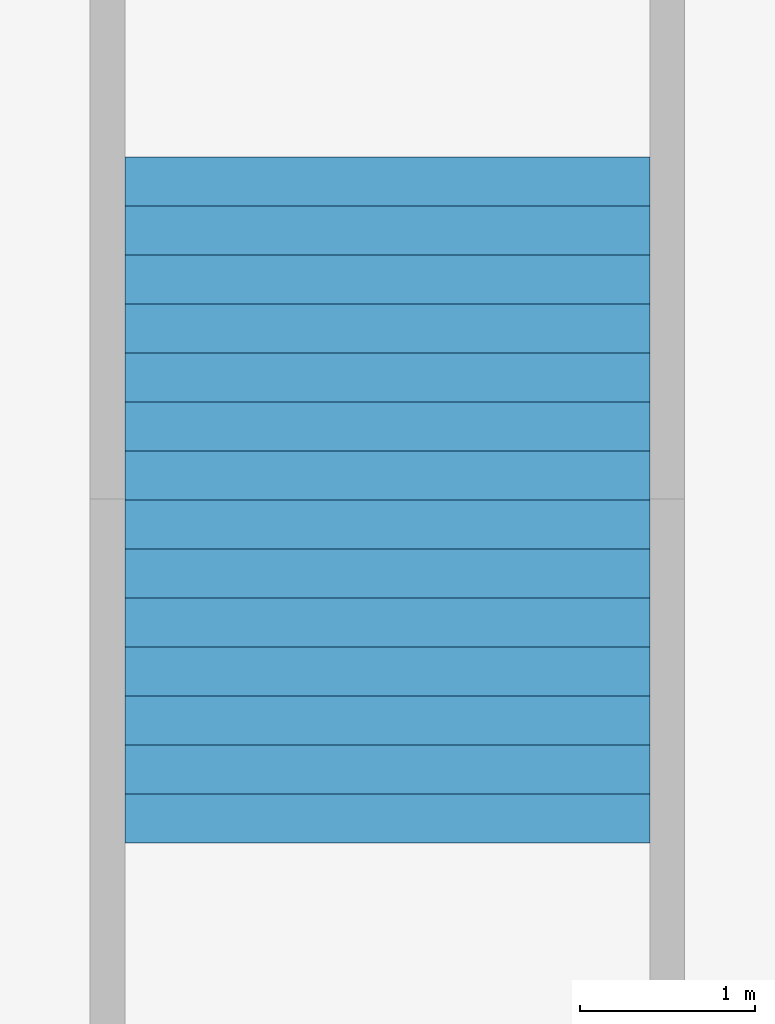
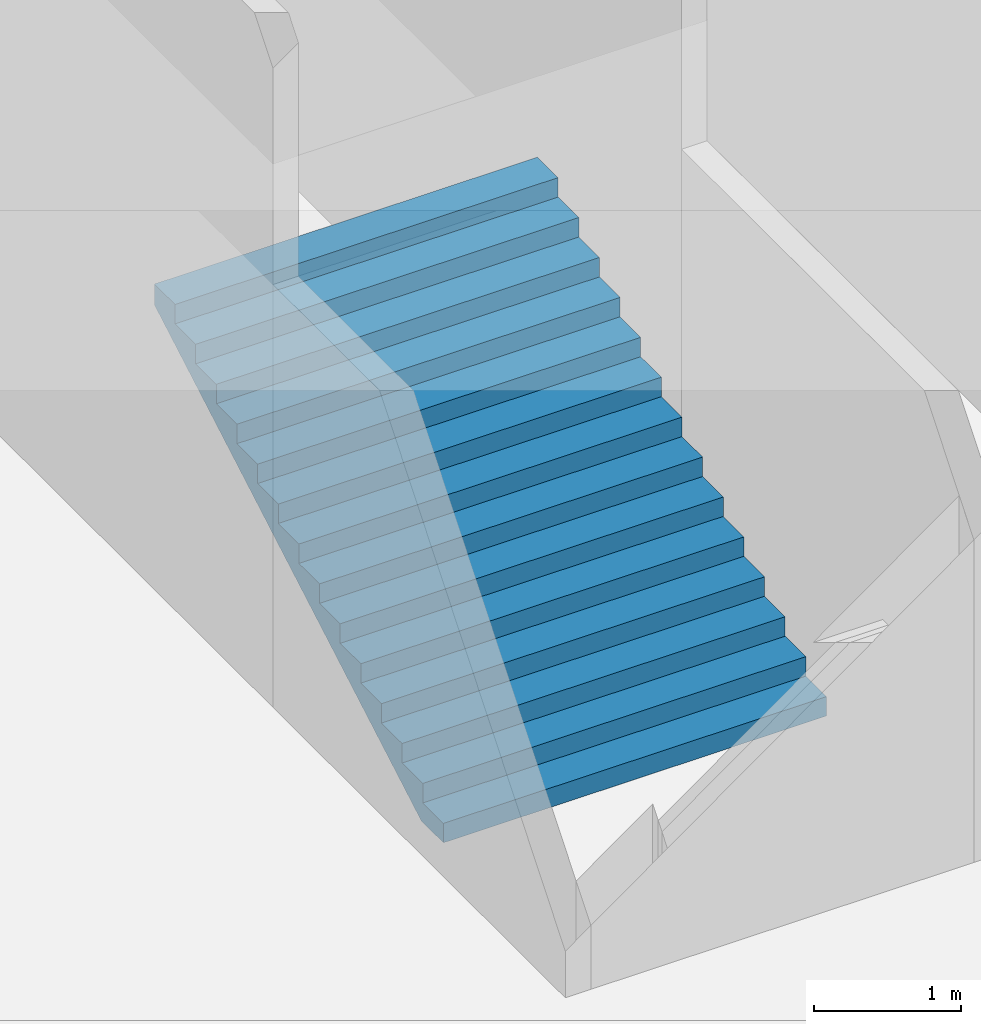
# One storey, part 88 of 115: 1 stair flight, 1 element without a shape of its own.
"""IFC4 building model written with IfcOpenShell, lengths in metres."""

import ifcopenshell
import ifcopenshell.guid

model = None  # the IFC model being written
_history = None  # IfcOwnerHistory: only IFC2X3 demands one
_inside = {}  # id of a spatial element -> (the spatial element, [elements in it])
_under = {}  # id of a project, library or spatial element -> (it, [spatial elements below it])
_declared = {}  # id of a project -> (the project, [libraries it declares])
_typed = {}  # id of a type object -> (the type object, [elements of that type])
_made_of = {}  # id of a material, layer set ... -> (it, [elements and type objects made of it])


def new_model(schema):
    """Start an empty IFC model of exactly this schema.

    Asked for "IFC4X3", IfcOpenShell would pick the latest addendum, in which some entities
    have other attributes; the version numbers below select the first issue.
    IFC2X3 requires an IfcOwnerHistory on every rooted entity: one is made here for all.
    """
    global model, _history
    if schema == "IFC4X3":
        model = ifcopenshell.file(schema_version=(4, 3, 0, 0))
    else:
        model = ifcopenshell.file(schema=schema)
    _inside.clear()
    _under.clear()
    _declared.clear()
    _typed.clear()
    _made_of.clear()
    _history = None
    if model.schema == "IFC2X3":
        org = make("IfcOrganization", Name="unknown")
        user = make(
            "IfcPersonAndOrganization",
            ThePerson=make("IfcPerson", FamilyName="unknown"),
            TheOrganization=org,
        )
        app = make(
            "IfcApplication",
            ApplicationDeveloper=org,
            Version="unknown",
            ApplicationFullName="unknown",
            ApplicationIdentifier="unknown",
        )
        _history = make(
            "IfcOwnerHistory",
            OwningUser=user,
            OwningApplication=app,
            ChangeAction="ADDED",
            CreationDate=0,
        )
    return model


def make(cls, **values):
    """One entity of the class cls with the attributes given. An attribute that is None is left unset."""
    return model.create_entity(
        cls, **{name: value for name, value in values.items() if value is not None}
    )


def rooted(cls, **values):
    """An entity with a GlobalId (a new one), such as an element, a storey or a relation."""
    return make(cls, GlobalId=ifcopenshell.guid.new(), OwnerHistory=_history, **values)


def si_unit(unit_type, name, prefix=None):
    """IfcSIUnit, for example si_unit("LENGTHUNIT", "METRE", prefix="MILLI")."""
    return make("IfcSIUnit", UnitType=unit_type, Prefix=prefix, Name=name)


def assignment(units):
    """IfcUnitAssignment: the units of a project."""
    return None if units is None else make("IfcUnitAssignment", Units=units)


def point(xyz):
    """IfcCartesianPoint."""
    return None if xyz is None else make("IfcCartesianPoint", Coordinates=xyz)


def direction(xyz):
    """IfcDirection."""
    return None if xyz is None else make("IfcDirection", DirectionRatios=xyz)


def frame(location, z_axis=None, x_axis=None):
    """IfcAxis2Placement3D, a coordinate frame: its origin and axes. An axis left out is left unset."""
    return make(
        "IfcAxis2Placement3D",
        Location=point(location),
        Axis=direction(z_axis),
        RefDirection=direction(x_axis),
    )


def origin():
    """The frame at (0, 0, 0) with its axes left unset."""
    return frame((0.0, 0.0, 0.0))


def place(relative_to, where):
    """IfcLocalPlacement: puts the frame where relative to a parent placement (None: the world)."""
    return make(
        "IfcLocalPlacement", PlacementRelTo=relative_to, RelativePlacement=where
    )


def context(
    kind, dimensions, precision=None, world=None, true_north=None, identifier=None
):
    """IfcGeometricRepresentationContext, for example the 3D "Model" context."""
    return make(
        "IfcGeometricRepresentationContext",
        ContextIdentifier=identifier,
        ContextType=kind,
        CoordinateSpaceDimension=dimensions,
        Precision=precision,
        WorldCoordinateSystem=world,
        TrueNorth=true_north,
    )


def subcontext(parent, identifier, kind, view, scale=None):
    """IfcGeometricRepresentationSubContext, for example "Body" below "Model"."""
    return make(
        "IfcGeometricRepresentationSubContext",
        ContextIdentifier=identifier,
        ContextType=kind,
        ParentContext=parent,
        TargetScale=scale,
        TargetView=view,
    )


def project(units=None, contexts=None):
    """IfcProject with its units and contexts."""
    return rooted(
        "IfcProject",
        Name="project",
        RepresentationContexts=contexts,
        UnitsInContext=assignment(units),
    )


def spatial(cls, under=None, at=None, **own):
    """A site, building, storey or space (cls), placed at a placement, below another one or the project."""
    s = rooted(cls, ObjectPlacement=at, **own)
    if under is not None:
        _under.setdefault(under.id(), (under, []))[1].append(s)
    return s


def faces_of(points, faces, orient=None, outer=None):
    """IfcFace entities. A face is a list of loops; a loop is a list of indices into points, from 0.

    orient and outer hold one flag for each loop. By default every Orientation is true, the
    first loop of a face is its IfcFaceOuterBound and the others are IfcFaceBound.
    """
    made = []
    for i, loops in enumerate(faces):
        bounds = []
        for j, loop in enumerate(loops):
            is_outer = j == 0 if outer is None else outer[i][j]
            bounds.append(
                make(
                    "IfcFaceOuterBound" if is_outer else "IfcFaceBound",
                    Bound=make("IfcPolyLoop", Polygon=[points[k] for k in loop]),
                    Orientation=True if orient is None else orient[i][j],
                )
            )
        made.append(make("IfcFace", Bounds=bounds))
    return made


def faceted_brep(points, faces, orient=None, outer=None, voids=None):
    """IfcFacetedBrep: a solid bounded by flat faces; with voids (closed shells), ...WithVoids."""
    shared = [point(p) for p in points]
    hull = make("IfcClosedShell", CfsFaces=faces_of(shared, faces, orient, outer))
    if voids is None:
        return make("IfcFacetedBrep", Outer=hull)
    return make(
        "IfcFacetedBrepWithVoids",
        Outer=hull,
        Voids=[
            make(cls, CfsFaces=faces_of(shared, fs, o, b)) for cls, fs, o, b in voids
        ],
    )


def shape(context_of_items, identifier, shape_type, items):
    """IfcShapeRepresentation: the items that make up one representation, for example the "Body"."""
    return make(
        "IfcShapeRepresentation",
        ContextOfItems=context_of_items,
        RepresentationIdentifier=identifier,
        RepresentationType=shape_type,
        Items=items,
    )


def material(Name=None, Category=None):
    """IfcMaterial."""
    return make("IfcMaterial", Name=Name, Category=Category)


def made_of(thing, what):
    """Note that an element or type object is made of a material, layer set ...; save() writes the relation."""
    if what is not None:
        _made_of.setdefault(what.id(), (what, []))[1].append(thing)
    return thing


def type_object(cls, material=None, **own):
    """A type object (cls), such as IfcWallType, which elements share."""
    return made_of(rooted(cls, **own), material)


def element(
    cls,
    number,
    at=None,
    inside=None,
    cuts=None,
    type_object=None,
    material=None,
    context=None,
    identifier="Body",
    shape_type=None,
    held_by="IfcProductDefinitionShape",
    body=None,
    shapes=None,
    **own,
):
    """One element of the class cls, such as IfcWall. Its Tag is "e" and its number.

    at: its placement. inside: the storey or other place that contains it. cuts: it is an
    opening in that element (IfcRelVoidsElement). A single representation is given by context,
    identifier, shape_type and body (its items); several are given by shapes. held_by: the class
    of the entity that holds the representations. save() writes the other relations.
    """
    e = rooted(cls, Tag="e%d" % number, ObjectPlacement=at, **own)
    if body is not None:
        shapes = [shape(context, identifier, shape_type, body)]
    if shapes is not None:
        e.Representation = make(held_by, Representations=shapes)
    if inside is not None:
        _inside.setdefault(inside.id(), (inside, []))[1].append(e)
    if cuts is not None:
        rooted(
            "IfcRelVoidsElement", RelatingBuildingElement=cuts, RelatedOpeningElement=e
        )
    if type_object is not None:
        _typed.setdefault(type_object.id(), (type_object, []))[1].append(e)
    return made_of(e, material)


def aggregate(whole, parts):
    """IfcRelAggregates: a whole, such as a stair, and the parts it consists of."""
    return rooted("IfcRelAggregates", RelatingObject=whole, RelatedObjects=parts)


def save(model, path):
    """Write the relations noted so far, then the file.

    IfcRelAggregates (storeys below a building ...), IfcRelContainedInSpatialStructure (elements
    in a storey), IfcRelDefinesByType, IfcRelAssociatesMaterial and IfcRelDeclares: one each for
    every whole, place, type object, material and project.
    """
    for whole, parts in _under.values():
        aggregate(whole, parts)
    for where, things in _inside.values():
        rooted(
            "IfcRelContainedInSpatialStructure",
            RelatedElements=things,
            RelatingStructure=where,
        )
    for kind, things in _typed.values():
        rooted("IfcRelDefinesByType", RelatedObjects=things, RelatingType=kind)
    for what, things in _made_of.values():
        rooted("IfcRelAssociatesMaterial", RelatedObjects=things, RelatingMaterial=what)
    for by, libraries in _declared.values():
        rooted("IfcRelDeclares", RelatingContext=by, RelatedDefinitions=libraries)
    model.write(path)


model = new_model("IFC4")

# Units and contexts
model_context = context("Model", 3, precision=1e-05, world=origin(), true_north=direction((0.0, 1.0)))
body_context = subcontext(model_context, "Body", "Model", "MODEL_VIEW")
ifc_project = project(units=[si_unit("LENGTHUNIT", "METRE"), si_unit("AREAUNIT", "SQUARE_METRE"), si_unit("VOLUMEUNIT", "CUBIC_METRE"), si_unit("PLANEANGLEUNIT", "RADIAN"), si_unit("MASSUNIT", "GRAM", prefix="KILO")], contexts=[model_context])

# Site, building, storey
site_placement = place(None, origin())
site = spatial("IfcSite", under=ifc_project, at=site_placement, CompositionType="ELEMENT")
building_placement = place(site_placement, origin())
building = spatial("IfcBuilding", under=site, at=building_placement, Name="Ogive Plaza Stadium", CompositionType="ELEMENT")
storey_placement = place(building_placement, frame((0.0, 0.0, -4.5)))
storey = spatial("IfcBuildingStorey", under=building, at=storey_placement, Name="B1", CompositionType="ELEMENT", Elevation=-4.5)

# Stair, stair flight
ifc_material_1 = material(Name="Concrete C40/50", Category="concrete")
stair_type = type_object("IfcStairType", Name="Station stair 3000", PredefinedType="TWO_STRAIGHT_RUN_STAIR", material=ifc_material_1)
stair_placement = place(storey_placement, origin())
stair = element("IfcStair", 1, at=stair_placement, inside=storey, type_object=stair_type, Name="Stair QS2", PredefinedType="TWO_STRAIGHT_RUN_STAIR")
ifc_material_2 = material(Name="Concrete C40/50", Category="concrete")
stair_flight_type = type_object("IfcStairFlightType", Name="Station stair flight 3000", PredefinedType="STRAIGHT", material=ifc_material_2)
stair_flight_placement = place(storey_placement, frame((114.89990234375, -19.280029296875, 0.0), z_axis=(0.0, 0.0, 1.0), x_axis=(0.0, 1.0, 0.0)))
stair_flight = element("IfcStairFlight", 2, at=stair_flight_placement, type_object=stair_flight_type, Name="QS2 flight 1", NumberOfRisers=14, NumberOfTreads=13, PredefinedType="STRAIGHT", RiserHeight=0.160714286, TreadLength=0.28, context=body_context, shape_type="Brep", body=[
    faceted_brep([(0.301025390625, -1.5, 0.0), (3.919921875, -1.5, 2.0771484375), (3.919921875, -1.5, 2.25), (3.639892578125, -1.5, 2.25), (3.639892578125, -1.5, 2.08935546875), (3.360107421875, -1.5, 2.08935546875), (3.360107421875, -1.5, 1.928466796875), (3.080078125, -1.5, 1.928466796875), (3.080078125, -1.5, 1.767822265625), (2.800048828125, -1.5, 1.767822265625), (2.800048828125, -1.5, 1.607177734375), (2.52001953125, -1.5, 1.607177734375), (2.52001953125, -1.5, 1.446533203125), (2.239990234375, -1.5, 1.446533203125), (2.239990234375, -1.5, 1.28564453125), (1.9599609375, -1.5, 1.28564453125), (1.9599609375, -1.5, 1.125), (1.679931640625, -1.5, 1.125), (1.679931640625, -1.5, 0.96435546875), (1.39990234375, -1.5, 0.96435546875), (1.39990234375, -1.5, 0.803466796875), (1.1201171875, -1.5, 0.803466796875), (1.1201171875, -1.5, 0.642822265625), (0.840087890625, -1.5, 0.642822265625), (0.840087890625, -1.5, 0.482177734375), (0.56005859375, -1.5, 0.482177734375), (0.56005859375, -1.5, 0.321533203125), (0.280029296875, -1.5, 0.321533203125), (0.280029296875, -1.5, 0.16064453125), (0.0, -1.5, 0.16064453125), (0.0, -1.5, 0.0), (0.0, 1.5, 0.0), (0.0, 1.5, 0.16064453125), (0.280029296875, 1.5, 0.16064453125), (0.280029296875, 1.5, 0.321533203125), (0.56005859375, 1.5, 0.321533203125), (0.56005859375, 1.5, 0.482177734375), (0.840087890625, 1.5, 0.482177734375), (0.840087890625, 1.5, 0.642822265625), (1.1201171875, 1.5, 0.642822265625), (1.1201171875, 1.5, 0.803466796875), (1.39990234375, 1.5, 0.803466796875), (1.39990234375, 1.5, 0.96435546875), (1.679931640625, 1.5, 0.96435546875), (1.679931640625, 1.5, 1.125), (1.9599609375, 1.5, 1.125), (1.9599609375, 1.5, 1.28564453125), (2.239990234375, 1.5, 1.28564453125), (2.239990234375, 1.5, 1.446533203125), (2.52001953125, 1.5, 1.446533203125), (2.52001953125, 1.5, 1.607177734375), (2.800048828125, 1.5, 1.607177734375), (2.800048828125, 1.5, 1.767822265625), (3.080078125, 1.5, 1.767822265625), (3.080078125, 1.5, 1.928466796875), (3.360107421875, 1.5, 1.928466796875), (3.360107421875, 1.5, 2.08935546875), (3.639892578125, 1.5, 2.08935546875), (3.639892578125, 1.5, 2.25), (3.919921875, 1.5, 2.25), (3.919921875, 1.5, 2.0771484375), (0.301025390625, 1.5, 0.0), (0.301025390625, -1.166748046875, 0.0), (3.919921875, -1.166748046875, 2.0771484375), (0.301025390625, -0.833251953125, 0.0), (3.919921875, -0.833251953125, 2.0771484375), (0.301025390625, -0.5, 0.0), (3.919921875, -0.5, 2.0771484375), (0.301025390625, -0.166748046875, 0.0), (3.919921875, -0.166748046875, 2.0771484375), (0.301025390625, 0.166748046875, 0.0), (3.919921875, 0.166748046875, 2.0771484375), (0.301025390625, 0.5, 0.0), (3.919921875, 0.5, 2.0771484375), (0.301025390625, 0.833251953125, 0.0), (3.919921875, 0.833251953125, 2.0771484375), (0.301025390625, 1.166748046875, 0.0), (3.919921875, 1.166748046875, 2.0771484375), (3.919921875, -1.166748046875, 2.25), (3.919921875, -0.833251953125, 2.25), (3.919921875, -0.5, 2.25), (3.919921875, -0.166748046875, 2.25), (3.919921875, 0.166748046875, 2.25), (3.919921875, 0.5, 2.25), (3.919921875, 0.833251953125, 2.25), (3.919921875, 1.166748046875, 2.25), (3.639892578125, -1.166748046875, 2.25), (3.639892578125, -0.833251953125, 2.25), (3.639892578125, -0.5, 2.25), (3.639892578125, -0.166748046875, 2.25), (3.639892578125, 0.166748046875, 2.25), (3.639892578125, 0.5, 2.25), (3.639892578125, 0.833251953125, 2.25), (3.639892578125, 1.166748046875, 2.25), (3.639892578125, -1.166748046875, 2.08935546875), (3.639892578125, -0.833251953125, 2.08935546875), (3.639892578125, -0.5, 2.08935546875), (3.639892578125, -0.166748046875, 2.08935546875), (3.639892578125, 0.166748046875, 2.08935546875), (3.639892578125, 0.5, 2.08935546875), (3.639892578125, 0.833251953125, 2.08935546875), (3.639892578125, 1.166748046875, 2.08935546875), (3.360107421875, -1.166748046875, 2.08935546875), (3.360107421875, -0.833251953125, 2.08935546875), (3.360107421875, -0.5, 2.08935546875), (3.360107421875, -0.166748046875, 2.08935546875), (3.360107421875, 0.166748046875, 2.08935546875), (3.360107421875, 0.5, 2.08935546875), (3.360107421875, 0.833251953125, 2.08935546875), (3.360107421875, 1.166748046875, 2.08935546875), (3.360107421875, -1.166748046875, 1.928466796875), (3.360107421875, -0.833251953125, 1.928466796875), (3.360107421875, -0.5, 1.928466796875), (3.360107421875, -0.166748046875, 1.928466796875), (3.360107421875, 0.166748046875, 1.928466796875), (3.360107421875, 0.5, 1.928466796875), (3.360107421875, 0.833251953125, 1.928466796875), (3.360107421875, 1.166748046875, 1.928466796875), (3.080078125, -1.166748046875, 1.928466796875), (3.080078125, -0.833251953125, 1.928466796875), (3.080078125, -0.5, 1.928466796875), (3.080078125, -0.166748046875, 1.928466796875), (3.080078125, 0.166748046875, 1.928466796875), (3.080078125, 0.5, 1.928466796875), (3.080078125, 0.833251953125, 1.928466796875), (3.080078125, 1.166748046875, 1.928466796875), (3.080078125, -1.166748046875, 1.767822265625), (3.080078125, -0.833251953125, 1.767822265625), (3.080078125, -0.5, 1.767822265625), (3.080078125, -0.166748046875, 1.767822265625), (3.080078125, 0.166748046875, 1.767822265625), (3.080078125, 0.5, 1.767822265625), (3.080078125, 0.833251953125, 1.767822265625), (3.080078125, 1.166748046875, 1.767822265625), (2.800048828125, -1.166748046875, 1.767822265625), (2.800048828125, -0.833251953125, 1.767822265625), (2.800048828125, -0.5, 1.767822265625), (2.800048828125, -0.166748046875, 1.767822265625), (2.800048828125, 0.166748046875, 1.767822265625), (2.800048828125, 0.5, 1.767822265625), (2.800048828125, 0.833251953125, 1.767822265625), (2.800048828125, 1.166748046875, 1.767822265625), (2.800048828125, -1.166748046875, 1.607177734375), (2.800048828125, -0.833251953125, 1.607177734375), (2.800048828125, -0.5, 1.607177734375), (2.800048828125, -0.166748046875, 1.607177734375), (2.800048828125, 0.166748046875, 1.607177734375), (2.800048828125, 0.5, 1.607177734375), (2.800048828125, 0.833251953125, 1.607177734375), (2.800048828125, 1.166748046875, 1.607177734375), (2.52001953125, -1.166748046875, 1.607177734375), (2.52001953125, -0.833251953125, 1.607177734375), (2.52001953125, -0.5, 1.607177734375), (2.52001953125, -0.166748046875, 1.607177734375), (2.52001953125, 0.166748046875, 1.607177734375), (2.52001953125, 0.5, 1.607177734375), (2.52001953125, 0.833251953125, 1.607177734375), (2.52001953125, 1.166748046875, 1.607177734375), (2.52001953125, -1.166748046875, 1.446533203125), (2.52001953125, -0.833251953125, 1.446533203125), (2.52001953125, -0.5, 1.446533203125), (2.52001953125, -0.166748046875, 1.446533203125), (2.52001953125, 0.166748046875, 1.446533203125), (2.52001953125, 0.5, 1.446533203125), (2.52001953125, 0.833251953125, 1.446533203125), (2.52001953125, 1.166748046875, 1.446533203125), (2.239990234375, -1.166748046875, 1.446533203125), (2.239990234375, -0.833251953125, 1.446533203125), (2.239990234375, -0.5, 1.446533203125), (2.239990234375, -0.166748046875, 1.446533203125), (2.239990234375, 0.166748046875, 1.446533203125), (2.239990234375, 0.5, 1.446533203125), (2.239990234375, 0.833251953125, 1.446533203125), (2.239990234375, 1.166748046875, 1.446533203125), (2.239990234375, -1.166748046875, 1.28564453125), (2.239990234375, -0.833251953125, 1.28564453125), (2.239990234375, -0.5, 1.28564453125), (2.239990234375, -0.166748046875, 1.28564453125), (2.239990234375, 0.166748046875, 1.28564453125), (2.239990234375, 0.5, 1.28564453125), (2.239990234375, 0.833251953125, 1.28564453125), (2.239990234375, 1.166748046875, 1.28564453125), (1.9599609375, -1.166748046875, 1.28564453125), (1.9599609375, -0.833251953125, 1.28564453125), (1.9599609375, -0.5, 1.28564453125), (1.9599609375, -0.166748046875, 1.28564453125), (1.9599609375, 0.166748046875, 1.28564453125), (1.9599609375, 0.5, 1.28564453125), (1.9599609375, 0.833251953125, 1.28564453125), (1.9599609375, 1.166748046875, 1.28564453125), (1.9599609375, -1.166748046875, 1.125), (1.9599609375, -0.833251953125, 1.125), (1.9599609375, -0.5, 1.125), (1.9599609375, -0.166748046875, 1.125), (1.9599609375, 0.166748046875, 1.125), (1.9599609375, 0.5, 1.125), (1.9599609375, 0.833251953125, 1.125), (1.9599609375, 1.166748046875, 1.125), (1.679931640625, -1.166748046875, 1.125), (1.679931640625, -0.833251953125, 1.125), (1.679931640625, -0.5, 1.125), (1.679931640625, -0.166748046875, 1.125), (1.679931640625, 0.166748046875, 1.125), (1.679931640625, 0.5, 1.125), (1.679931640625, 0.833251953125, 1.125), (1.679931640625, 1.166748046875, 1.125), (1.679931640625, -1.166748046875, 0.96435546875), (1.679931640625, -0.833251953125, 0.96435546875), (1.679931640625, -0.5, 0.96435546875), (1.679931640625, -0.166748046875, 0.96435546875), (1.679931640625, 0.166748046875, 0.96435546875), (1.679931640625, 0.5, 0.96435546875), (1.679931640625, 0.833251953125, 0.96435546875), (1.679931640625, 1.166748046875, 0.96435546875), (1.39990234375, -1.166748046875, 0.96435546875), (1.39990234375, -0.833251953125, 0.96435546875), (1.39990234375, -0.5, 0.96435546875), (1.39990234375, -0.166748046875, 0.96435546875), (1.39990234375, 0.166748046875, 0.96435546875), (1.39990234375, 0.5, 0.96435546875), (1.39990234375, 0.833251953125, 0.96435546875), (1.39990234375, 1.166748046875, 0.96435546875), (1.39990234375, -1.166748046875, 0.803466796875), (1.39990234375, -0.833251953125, 0.803466796875), (1.39990234375, -0.5, 0.803466796875), (1.39990234375, -0.166748046875, 0.803466796875), (1.39990234375, 0.166748046875, 0.803466796875), (1.39990234375, 0.5, 0.803466796875), (1.39990234375, 0.833251953125, 0.803466796875), (1.39990234375, 1.166748046875, 0.803466796875), (1.1201171875, -1.166748046875, 0.803466796875), (1.1201171875, -0.833251953125, 0.803466796875), (1.1201171875, -0.5, 0.803466796875), (1.1201171875, -0.166748046875, 0.803466796875), (1.1201171875, 0.166748046875, 0.803466796875), (1.1201171875, 0.5, 0.803466796875), (1.1201171875, 0.833251953125, 0.803466796875), (1.1201171875, 1.166748046875, 0.803466796875), (1.1201171875, -1.166748046875, 0.642822265625), (1.1201171875, -0.833251953125, 0.642822265625), (1.1201171875, -0.5, 0.642822265625), (1.1201171875, -0.166748046875, 0.642822265625), (1.1201171875, 0.166748046875, 0.642822265625), (1.1201171875, 0.5, 0.642822265625), (1.1201171875, 0.833251953125, 0.642822265625), (1.1201171875, 1.166748046875, 0.642822265625), (0.840087890625, -1.166748046875, 0.642822265625), (0.840087890625, -0.833251953125, 0.642822265625), (0.840087890625, -0.5, 0.642822265625), (0.840087890625, -0.166748046875, 0.642822265625), (0.840087890625, 0.166748046875, 0.642822265625), (0.840087890625, 0.5, 0.642822265625), (0.840087890625, 0.833251953125, 0.642822265625), (0.840087890625, 1.166748046875, 0.642822265625), (0.840087890625, -1.166748046875, 0.482177734375), (0.840087890625, -0.833251953125, 0.482177734375), (0.840087890625, -0.5, 0.482177734375), (0.840087890625, -0.166748046875, 0.482177734375), (0.840087890625, 0.166748046875, 0.482177734375), (0.840087890625, 0.5, 0.482177734375), (0.840087890625, 0.833251953125, 0.482177734375), (0.840087890625, 1.166748046875, 0.482177734375), (0.56005859375, -1.166748046875, 0.482177734375), (0.56005859375, -0.833251953125, 0.482177734375), (0.56005859375, -0.5, 0.482177734375), (0.56005859375, -0.166748046875, 0.482177734375), (0.56005859375, 0.166748046875, 0.482177734375), (0.56005859375, 0.5, 0.482177734375), (0.56005859375, 0.833251953125, 0.482177734375), (0.56005859375, 1.166748046875, 0.482177734375), (0.56005859375, -1.166748046875, 0.321533203125), (0.56005859375, -0.833251953125, 0.321533203125), (0.56005859375, -0.5, 0.321533203125), (0.56005859375, -0.166748046875, 0.321533203125), (0.56005859375, 0.166748046875, 0.321533203125), (0.56005859375, 0.5, 0.321533203125), (0.56005859375, 0.833251953125, 0.321533203125), (0.56005859375, 1.166748046875, 0.321533203125), (0.280029296875, -1.166748046875, 0.321533203125), (0.280029296875, -0.833251953125, 0.321533203125), (0.280029296875, -0.5, 0.321533203125), (0.280029296875, -0.166748046875, 0.321533203125), (0.280029296875, 0.166748046875, 0.321533203125), (0.280029296875, 0.5, 0.321533203125), (0.280029296875, 0.833251953125, 0.321533203125), (0.280029296875, 1.166748046875, 0.321533203125), (0.280029296875, -1.166748046875, 0.16064453125), (0.280029296875, -0.833251953125, 0.16064453125), (0.280029296875, -0.5, 0.16064453125), (0.280029296875, -0.166748046875, 0.16064453125), (0.280029296875, 0.166748046875, 0.16064453125), (0.280029296875, 0.5, 0.16064453125), (0.280029296875, 0.833251953125, 0.16064453125), (0.280029296875, 1.166748046875, 0.16064453125), (0.0, -1.166748046875, 0.16064453125), (0.0, -0.833251953125, 0.16064453125), (0.0, -0.5, 0.16064453125), (0.0, -0.166748046875, 0.16064453125), (0.0, 0.166748046875, 0.16064453125), (0.0, 0.5, 0.16064453125), (0.0, 0.833251953125, 0.16064453125), (0.0, 1.166748046875, 0.16064453125), (0.0, -1.166748046875, 0.0), (0.0, -0.833251953125, 0.0), (0.0, -0.5, 0.0), (0.0, -0.166748046875, 0.0), (0.0, 0.166748046875, 0.0), (0.0, 0.5, 0.0), (0.0, 0.833251953125, 0.0), (0.0, 1.166748046875, 0.0)], [[[0, 1, 2, 3, 4, 5, 6, 7, 8, 9, 10, 11, 12, 13, 14, 15, 16, 17, 18, 19, 20, 21, 22, 23, 24, 25, 26, 27, 28, 29, 30]], [[31, 32, 33, 34, 35, 36, 37, 38, 39, 40, 41, 42, 43, 44, 45, 46, 47, 48, 49, 50, 51, 52, 53, 54, 55, 56, 57, 58, 59, 60, 61]], [[0, 62, 63, 1]], [[62, 64, 65, 63]], [[64, 66, 67, 65]], [[66, 68, 69, 67]], [[68, 70, 71, 69]], [[70, 72, 73, 71]], [[72, 74, 75, 73]], [[74, 76, 77, 75]], [[76, 61, 60, 77]], [[1, 63, 78, 2]], [[63, 65, 79, 78]], [[65, 67, 80, 79]], [[67, 69, 81, 80]], [[69, 71, 82, 81]], [[71, 73, 83, 82]], [[73, 75, 84, 83]], [[75, 77, 85, 84]], [[77, 60, 59, 85]], [[2, 78, 86, 3]], [[78, 79, 87, 86]], [[79, 80, 88, 87]], [[80, 81, 89, 88]], [[81, 82, 90, 89]], [[82, 83, 91, 90]], [[83, 84, 92, 91]], [[84, 85, 93, 92]], [[85, 59, 58, 93]], [[3, 86, 94, 4]], [[86, 87, 95, 94]], [[87, 88, 96, 95]], [[88, 89, 97, 96]], [[89, 90, 98, 97]], [[90, 91, 99, 98]], [[91, 92, 100, 99]], [[92, 93, 101, 100]], [[93, 58, 57, 101]], [[4, 94, 102, 5]], [[94, 95, 103, 102]], [[95, 96, 104, 103]], [[96, 97, 105, 104]], [[97, 98, 106, 105]], [[98, 99, 107, 106]], [[99, 100, 108, 107]], [[100, 101, 109, 108]], [[101, 57, 56, 109]], [[5, 102, 110, 6]], [[102, 103, 111, 110]], [[103, 104, 112, 111]], [[104, 105, 113, 112]], [[105, 106, 114, 113]], [[106, 107, 115, 114]], [[107, 108, 116, 115]], [[108, 109, 117, 116]], [[109, 56, 55, 117]], [[6, 110, 118, 7]], [[110, 111, 119, 118]], [[111, 112, 120, 119]], [[112, 113, 121, 120]], [[113, 114, 122, 121]], [[114, 115, 123, 122]], [[115, 116, 124, 123]], [[116, 117, 125, 124]], [[117, 55, 54, 125]], [[7, 118, 126, 8]], [[118, 119, 127, 126]], [[119, 120, 128, 127]], [[120, 121, 129, 128]], [[121, 122, 130, 129]], [[122, 123, 131, 130]], [[123, 124, 132, 131]], [[124, 125, 133, 132]], [[125, 54, 53, 133]], [[8, 126, 134, 9]], [[126, 127, 135, 134]], [[127, 128, 136, 135]], [[128, 129, 137, 136]], [[129, 130, 138, 137]], [[130, 131, 139, 138]], [[131, 132, 140, 139]], [[132, 133, 141, 140]], [[133, 53, 52, 141]], [[9, 134, 142, 10]], [[134, 135, 143, 142]], [[135, 136, 144, 143]], [[136, 137, 145, 144]], [[137, 138, 146, 145]], [[138, 139, 147, 146]], [[139, 140, 148, 147]], [[140, 141, 149, 148]], [[141, 52, 51, 149]], [[10, 142, 150, 11]], [[142, 143, 151, 150]], [[143, 144, 152, 151]], [[144, 145, 153, 152]], [[145, 146, 154, 153]], [[146, 147, 155, 154]], [[147, 148, 156, 155]], [[148, 149, 157, 156]], [[149, 51, 50, 157]], [[11, 150, 158, 12]], [[150, 151, 159, 158]], [[151, 152, 160, 159]], [[152, 153, 161, 160]], [[153, 154, 162, 161]], [[154, 155, 163, 162]], [[155, 156, 164, 163]], [[156, 157, 165, 164]], [[157, 50, 49, 165]], [[12, 158, 166, 13]], [[158, 159, 167, 166]], [[159, 160, 168, 167]], [[160, 161, 169, 168]], [[161, 162, 170, 169]], [[162, 163, 171, 170]], [[163, 164, 172, 171]], [[164, 165, 173, 172]], [[165, 49, 48, 173]], [[13, 166, 174, 14]], [[166, 167, 175, 174]], [[167, 168, 176, 175]], [[168, 169, 177, 176]], [[169, 170, 178, 177]], [[170, 171, 179, 178]], [[171, 172, 180, 179]], [[172, 173, 181, 180]], [[173, 48, 47, 181]], [[14, 174, 182, 15]], [[174, 175, 183, 182]], [[175, 176, 184, 183]], [[176, 177, 185, 184]], [[177, 178, 186, 185]], [[178, 179, 187, 186]], [[179, 180, 188, 187]], [[180, 181, 189, 188]], [[181, 47, 46, 189]], [[15, 182, 190, 16]], [[182, 183, 191, 190]], [[183, 184, 192, 191]], [[184, 185, 193, 192]], [[185, 186, 194, 193]], [[186, 187, 195, 194]], [[187, 188, 196, 195]], [[188, 189, 197, 196]], [[189, 46, 45, 197]], [[16, 190, 198, 17]], [[190, 191, 199, 198]], [[191, 192, 200, 199]], [[192, 193, 201, 200]], [[193, 194, 202, 201]], [[194, 195, 203, 202]], [[195, 196, 204, 203]], [[196, 197, 205, 204]], [[197, 45, 44, 205]], [[17, 198, 206, 18]], [[198, 199, 207, 206]], [[199, 200, 208, 207]], [[200, 201, 209, 208]], [[201, 202, 210, 209]], [[202, 203, 211, 210]], [[203, 204, 212, 211]], [[204, 205, 213, 212]], [[205, 44, 43, 213]], [[18, 206, 214, 19]], [[206, 207, 215, 214]], [[207, 208, 216, 215]], [[208, 209, 217, 216]], [[209, 210, 218, 217]], [[210, 211, 219, 218]], [[211, 212, 220, 219]], [[212, 213, 221, 220]], [[213, 43, 42, 221]], [[19, 214, 222, 20]], [[214, 215, 223, 222]], [[215, 216, 224, 223]], [[216, 217, 225, 224]], [[217, 218, 226, 225]], [[218, 219, 227, 226]], [[219, 220, 228, 227]], [[220, 221, 229, 228]], [[221, 42, 41, 229]], [[20, 222, 230, 21]], [[222, 223, 231, 230]], [[223, 224, 232, 231]], [[224, 225, 233, 232]], [[225, 226, 234, 233]], [[226, 227, 235, 234]], [[227, 228, 236, 235]], [[228, 229, 237, 236]], [[229, 41, 40, 237]], [[21, 230, 238, 22]], [[230, 231, 239, 238]], [[231, 232, 240, 239]], [[232, 233, 241, 240]], [[233, 234, 242, 241]], [[234, 235, 243, 242]], [[235, 236, 244, 243]], [[236, 237, 245, 244]], [[237, 40, 39, 245]], [[22, 238, 246, 23]], [[238, 239, 247, 246]], [[239, 240, 248, 247]], [[240, 241, 249, 248]], [[241, 242, 250, 249]], [[242, 243, 251, 250]], [[243, 244, 252, 251]], [[244, 245, 253, 252]], [[245, 39, 38, 253]], [[23, 246, 254, 24]], [[246, 247, 255, 254]], [[247, 248, 256, 255]], [[248, 249, 257, 256]], [[249, 250, 258, 257]], [[250, 251, 259, 258]], [[251, 252, 260, 259]], [[252, 253, 261, 260]], [[253, 38, 37, 261]], [[24, 254, 262, 25]], [[254, 255, 263, 262]], [[255, 256, 264, 263]], [[256, 257, 265, 264]], [[257, 258, 266, 265]], [[258, 259, 267, 266]], [[259, 260, 268, 267]], [[260, 261, 269, 268]], [[261, 37, 36, 269]], [[25, 262, 270, 26]], [[262, 263, 271, 270]], [[263, 264, 272, 271]], [[264, 265, 273, 272]], [[265, 266, 274, 273]], [[266, 267, 275, 274]], [[267, 268, 276, 275]], [[268, 269, 277, 276]], [[269, 36, 35, 277]], [[26, 270, 278, 27]], [[270, 271, 279, 278]], [[271, 272, 280, 279]], [[272, 273, 281, 280]], [[273, 274, 282, 281]], [[274, 275, 283, 282]], [[275, 276, 284, 283]], [[276, 277, 285, 284]], [[277, 35, 34, 285]], [[27, 278, 286, 28]], [[278, 279, 287, 286]], [[279, 280, 288, 287]], [[280, 281, 289, 288]], [[281, 282, 290, 289]], [[282, 283, 291, 290]], [[283, 284, 292, 291]], [[284, 285, 293, 292]], [[285, 34, 33, 293]], [[28, 286, 294, 29]], [[286, 287, 295, 294]], [[287, 288, 296, 295]], [[288, 289, 297, 296]], [[289, 290, 298, 297]], [[290, 291, 299, 298]], [[291, 292, 300, 299]], [[292, 293, 301, 300]], [[293, 33, 32, 301]], [[29, 294, 302, 30]], [[294, 295, 303, 302]], [[295, 296, 304, 303]], [[296, 297, 305, 304]], [[297, 298, 306, 305]], [[298, 299, 307, 306]], [[299, 300, 308, 307]], [[300, 301, 309, 308]], [[301, 32, 31, 309]], [[30, 302, 62, 0]], [[302, 303, 64, 62]], [[303, 304, 66, 64]], [[304, 305, 68, 66]], [[305, 306, 70, 68]], [[306, 307, 72, 70]], [[307, 308, 74, 72]], [[308, 309, 76, 74]], [[309, 31, 61, 76]]]),
])
aggregate(stair, [stair_flight])

save(model, "model.ifc")
